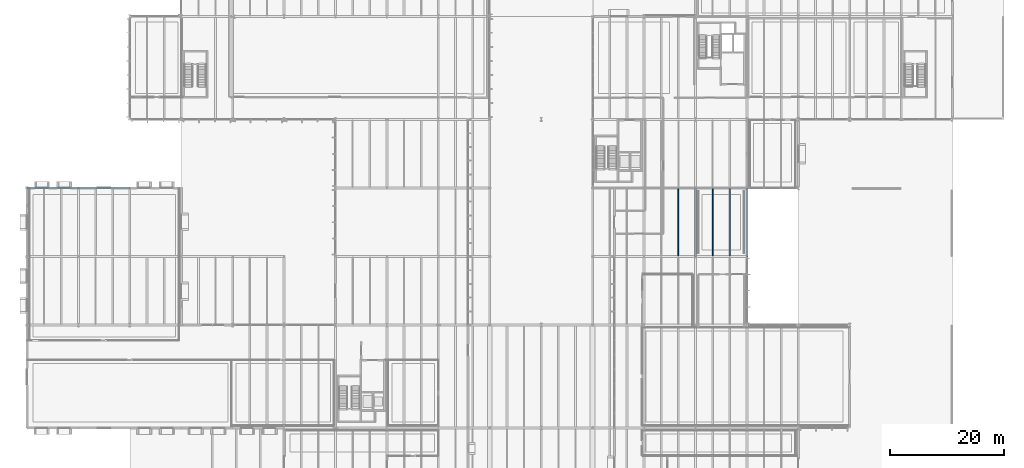
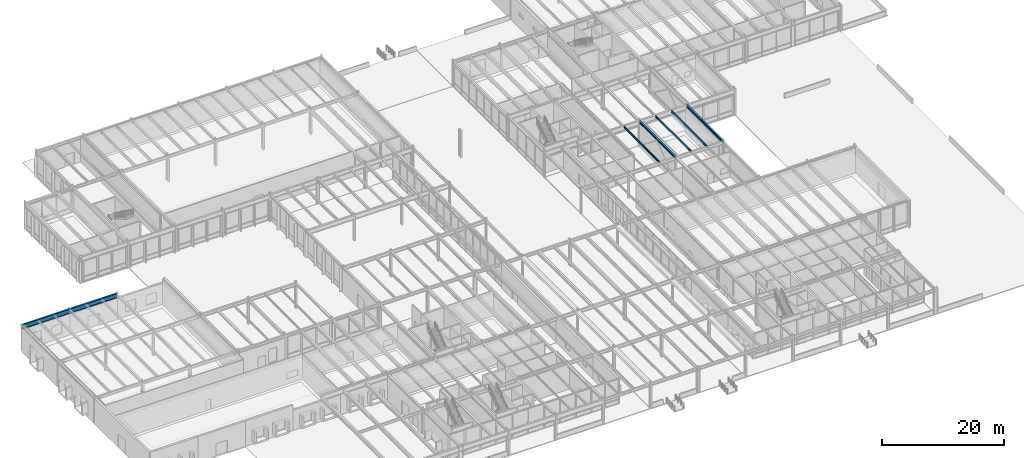
# One storey, part 53 of 143: 7 beams.
"""IFC4 building model written with IfcOpenShell, lengths in metres."""

from ifc_helpers import new_model, si_unit, direction, frame, origin, origin_2d, place, context, subcontext, project, spatial, i_section, extrude, material, material_profile, profile_set, type_object, element, save


model = new_model("IFC4")

# Units and contexts
model_context = context("Model", 3, precision=1e-05, world=origin(), true_north=direction((0.0, 1.0)))
body_context = subcontext(model_context, "Body", "Model", "MODEL_VIEW")
ifc_project = project(units=[si_unit("LENGTHUNIT", "METRE"), si_unit("AREAUNIT", "SQUARE_METRE"), si_unit("VOLUMEUNIT", "CUBIC_METRE"), si_unit("PLANEANGLEUNIT", "RADIAN"), si_unit("MASSUNIT", "GRAM", prefix="KILO")], contexts=[model_context])

# Site, building, storey
site_placement = place(None, origin())
site = spatial("IfcSite", under=ifc_project, at=site_placement, CompositionType="ELEMENT")
building_placement = place(site_placement, origin())
building = spatial("IfcBuilding", under=site, at=building_placement, Name="Montelvaro Courts of Justice", CompositionType="ELEMENT")
storey_placement = place(building_placement, origin())
storey = spatial("IfcBuildingStorey", under=building, at=storey_placement, Name="L00", CompositionType="ELEMENT", Elevation=0.0)

# Beams
ifc_material = material(Name="Steel S355", Category="steel")
ifc_material_profile_1 = material_profile(ifc_material, i_section(OverallWidth=0.300048828125, OverallDepth=0.43994140625, WebThickness=0.011474609375, FlangeThickness=0.02099609375, at=origin_2d()), Name="HEA 450")
ifc_profile_set_1 = profile_set([ifc_material_profile_1], Name="Steel S355")
beam_type_1 = type_object("IfcBeamType", Name="Beam_HEA450", PredefinedType="USERDEFINED", material=ifc_profile_set_1)
beam_1_placement = place(storey_placement, frame((117.0, 54.0, 4.89990234375), z_axis=(0.0, 1.0, 0.0), x_axis=(-1.0, 0.0, 0.0)))
element("IfcBeam", 1, at=beam_1_placement, inside=storey, type_object=beam_type_1, Name="Beam B-18 L00", ObjectType="GIRDER", PredefinedType="USERDEFINED", context=body_context, shape_type="SweptSolid", body=[
    extrude(i_section(OverallWidth=0.300048828125, OverallDepth=0.43994140625, WebThickness=0.011474609375, FlangeThickness=0.02099609375, at=origin_2d()), origin(), (0.0, 0.0, 1.0), 12.0),
])
ifc_material_profile_2 = material_profile(ifc_material, i_section(OverallWidth=0.300048828125, OverallDepth=0.489990234375, WebThickness=0.011962890625, FlangeThickness=0.02294921875, at=origin_2d()), Name="HEA 500")
ifc_profile_set_2 = profile_set([ifc_material_profile_2], Name="Steel S355")
beam_type_2 = type_object("IfcBeamType", Name="Beam_HEA500", PredefinedType="USERDEFINED", material=ifc_profile_set_2)
beam_2_placement = place(storey_placement, frame((126.0, 54.0, 4.875), z_axis=(0.0, 1.0, 0.0), x_axis=(-1.0, 0.0, 0.0)))
element("IfcBeam", 2, at=beam_2_placement, inside=storey, type_object=beam_type_2, Name="Beam B-19 L00", ObjectType="GIRDER", PredefinedType="USERDEFINED", context=body_context, shape_type="SweptSolid", body=[
    extrude(i_section(OverallWidth=0.300048828125, OverallDepth=0.489990234375, WebThickness=0.011962890625, FlangeThickness=0.02294921875, at=origin_2d()), origin(), (0.0, 0.0, 1.0), 12.0),
])
ifc_material_profile_3 = material_profile(ifc_material, i_section(OverallWidth=0.300048828125, OverallDepth=0.89990234375, WebThickness=0.0185546875, FlangeThickness=0.034912109375, at=origin_2d()), Name="HEB 900")
ifc_profile_set_3 = profile_set([ifc_material_profile_3], Name="Steel S355")
beam_type_3 = type_object("IfcBeamType", Name="Beam_HEB900", PredefinedType="USERDEFINED", material=ifc_profile_set_3)
for number, where, z_axis, x_axis, name in (
    (3, (0.0, 66.0, 4.699951171875), (1.0, 0.0, 0.0), (0.0, 1.0, 0.0), "Beam B-30 L00"),
    (4, (9.0, 66.0, 4.699951171875), (1.0, 0.0, 0.0), (0.0, 1.0, 0.0), "Beam B-30 L00"),
):
    element("IfcBeam", number, at=place(storey_placement, frame(where, z_axis=z_axis, x_axis=x_axis)), inside=storey, type_object=beam_type_3, Name=name, ObjectType="GIRDER", PredefinedType="USERDEFINED", context=body_context, shape_type="SweptSolid", body=[
        extrude(i_section(OverallWidth=0.300048828125, OverallDepth=0.89990234375, WebThickness=0.0185546875, FlangeThickness=0.034912109375, at=origin_2d()), origin(), (0.0, 0.0, 1.0), 9.0),
    ])
ifc_material_profile_4 = material_profile(ifc_material, i_section(OverallWidth=0.169921875, OverallDepth=0.360107421875, WebThickness=0.008056640625, FlangeThickness=0.0126953125, at=origin_2d()), Name="IPE 360")
ifc_profile_set_4 = profile_set([ifc_material_profile_4], Name="Steel S355")
beam_type_4 = type_object("IfcBeamType", Name="Beam_IPE360", PredefinedType="BEAM", material=ifc_profile_set_4)
for number, where, z_axis, x_axis, name in (
    (5, (114.0, 54.110107421875, 4.93994140625), (0.0, 1.0, 0.0), (-1.0, 0.0, 0.0), "Beam B-07 L00"),
    (6, (120.0, 54.110107421875, 4.93994140625), (0.0, 1.0, 0.0), (-1.0, 0.0, 0.0), "Beam B-07 L00"),
):
    element("IfcBeam", number, at=place(storey_placement, frame(where, z_axis=z_axis, x_axis=x_axis)), inside=storey, type_object=beam_type_4, Name=name, PredefinedType="BEAM", context=body_context, shape_type="SweptSolid", body=[
        extrude(i_section(OverallWidth=0.169921875, OverallDepth=0.360107421875, WebThickness=0.008056640625, FlangeThickness=0.0126953125, at=origin_2d()), origin(), (0.0, 0.0, 1.0), 11.77978515625),
    ])
ifc_material_profile_5 = material_profile(ifc_material, i_section(OverallWidth=0.179931640625, OverallDepth=0.39990234375, WebThickness=0.008544921875, FlangeThickness=0.013427734375, at=origin_2d()), Name="IPE 400")
ifc_profile_set_5 = profile_set([ifc_material_profile_5], Name="Steel S355")
beam_type_5 = type_object("IfcBeamType", Name="Beam_IPE400", PredefinedType="BEAM", material=ifc_profile_set_5)
beam_3_placement = place(storey_placement, frame((123.0, 54.110107421875, 4.919921875), z_axis=(0.0, 1.0, 0.0), x_axis=(-1.0, 0.0, 0.0)))
element("IfcBeam", 7, at=beam_3_placement, inside=storey, type_object=beam_type_5, Name="Beam B-08 L00", PredefinedType="BEAM", context=body_context, shape_type="SweptSolid", body=[
    extrude(i_section(OverallWidth=0.179931640625, OverallDepth=0.39990234375, WebThickness=0.008544921875, FlangeThickness=0.013427734375, at=origin_2d()), origin(), (0.0, 0.0, 1.0), 11.77978515625),
])

save(model, "model.ifc")
